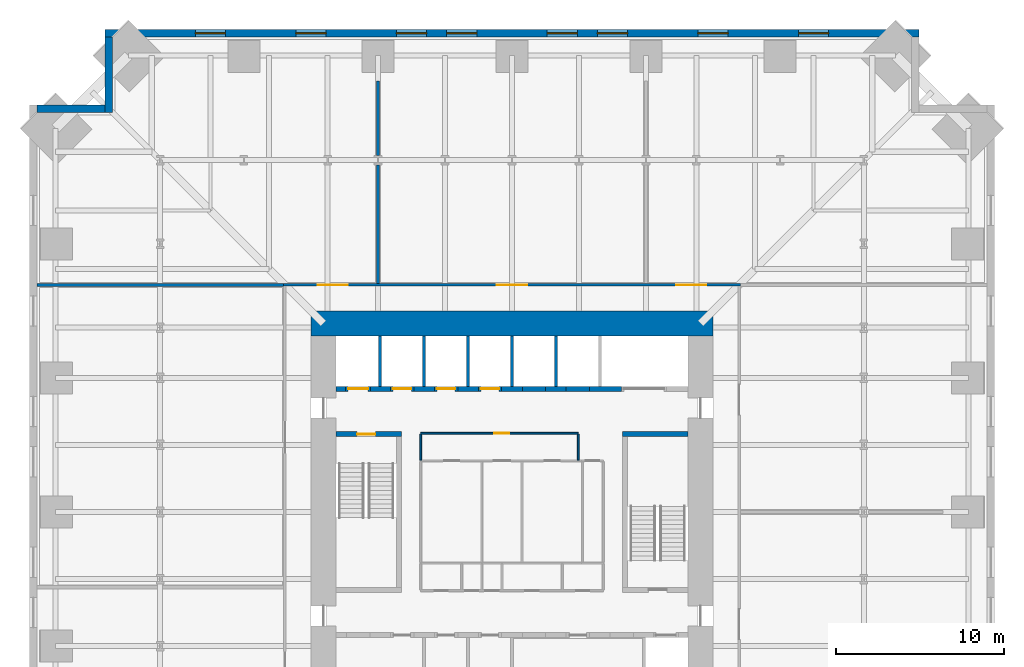
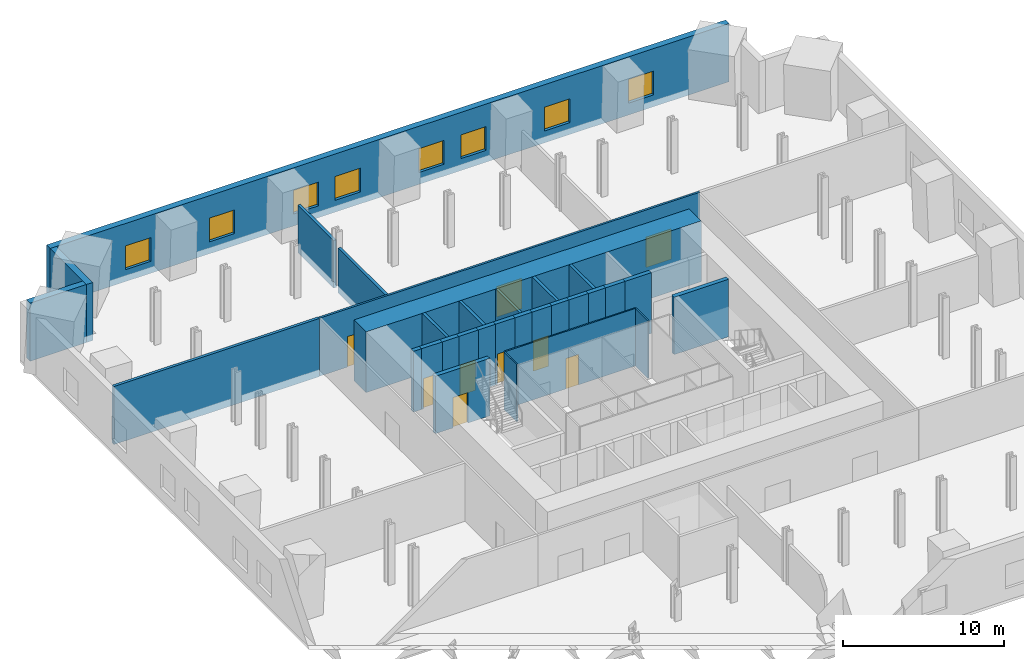
# One storey, part 6 of 8: 31 walls, 9 doors, 8 windows, 17 openings.
"""IFC4 building model written with IfcOpenShell, lengths in metres."""

from ifc_helpers import new_model, si_unit, direction, frame, frame_2d, origin, place, context, subcontext, project, spatial, rectangle, extrude, material, layer, layer_set, type_object, element, fill, save


model = new_model("IFC4")

# Units and contexts
model_context = context("Model", 3, precision=1e-05, world=origin(), true_north=direction((0.0, 1.0)))
body_context = subcontext(model_context, "Body", "Model", "MODEL_VIEW")
ifc_project = project(units=[si_unit("LENGTHUNIT", "METRE"), si_unit("AREAUNIT", "SQUARE_METRE"), si_unit("VOLUMEUNIT", "CUBIC_METRE"), si_unit("PLANEANGLEUNIT", "RADIAN"), si_unit("MASSUNIT", "GRAM", prefix="KILO")], contexts=[model_context])

# Site, building, storey
site_placement = place(None, origin())
site = spatial("IfcSite", under=ifc_project, at=site_placement, CompositionType="ELEMENT")
building_placement = place(site_placement, origin())
building = spatial("IfcBuilding", under=site, at=building_placement, Name="Peilmerk Tower", CompositionType="ELEMENT")
storey_placement = place(building_placement, frame((0.0, 0.0, 90.60009765625)))
storey = spatial("IfcBuildingStorey", under=building, at=storey_placement, Name="L17", CompositionType="ELEMENT", Elevation=90.60009765625)

# Wall, openings, windows
ifc_material_1 = material(Name="Precast concrete C45/55, board-marked finish", Category="concrete")
ifc_layer_1 = layer(ifc_material_1, 0.449951171875)
ifc_layer_set_1 = layer_set([ifc_layer_1], Name="Precast concrete C45/55, board-marked finish")
wall_type_1 = type_object("IfcWallType", Name="EW1 450 precast concrete facade wall, board-marked", PredefinedType="SOLIDWALL", material=ifc_layer_set_1)
wall_1_placement = place(storey_placement, frame((24.300048828125, 28.574951171875, 0.0), z_axis=(0.0, 0.0, 1.0), x_axis=(-1.0, 0.0, 0.0)))
wall_1 = element("IfcWall", 1, at=wall_1_placement, inside=storey, type_object=wall_type_1, Name="Facade wall N L17", PredefinedType="SOLIDWALL", context=body_context, shape_type="SweptSolid", body=[
    extrude(rectangle(XDim=48.60009765625, YDim=0.449951171875, at=frame_2d((24.300048828125, 0.0))), origin(), (0.0, 0.0, 1.0), 4.39990234375),
])
opening_1_placement = place(wall_1_placement, frame((5.39990234375, 0.0, 0.89990234375)))
opening_1 = element("IfcOpeningElement", 2, at=opening_1_placement, cuts=wall_1, Name="Opening W3", PredefinedType="OPENING", context=body_context, shape_type="SweptSolid", body=[
    extrude(rectangle(XDim=1.800048828125, YDim=1.800048828125, at=frame_2d((0.89990234375, 0.89990234375))), frame((0.0, 0.23486328125, 0.0), z_axis=(0.0, -1.0, 0.0), x_axis=(1.0, 0.0, 0.0)), (0.0, 0.0, 1.0), 0.469970703125),
])
opening_2_placement = place(wall_1_placement, frame((11.39990234375, 0.0, 0.89990234375)))
opening_2 = element("IfcOpeningElement", 3, at=opening_2_placement, cuts=wall_1, Name="Opening W3", PredefinedType="OPENING", context=body_context, shape_type="SweptSolid", body=[
    extrude(rectangle(XDim=1.800048828125, YDim=1.800048828125, at=frame_2d((0.89990234375, 0.89990234375))), frame((0.0, 0.23486328125, 0.0), z_axis=(0.0, -1.0, 0.0), x_axis=(1.0, 0.0, 0.0)), (0.0, 0.0, 1.0), 0.469970703125),
])
opening_3_placement = place(wall_1_placement, frame((17.39990234375, 0.0, 0.89990234375)))
opening_3 = element("IfcOpeningElement", 4, at=opening_3_placement, cuts=wall_1, Name="Opening W3", PredefinedType="OPENING", context=body_context, shape_type="SweptSolid", body=[
    extrude(rectangle(XDim=1.800048828125, YDim=1.800048828125, at=frame_2d((0.89990234375, 0.89990234375))), frame((0.0, 0.23486328125, 0.0), z_axis=(0.0, -1.0, 0.0), x_axis=(1.0, 0.0, 0.0)), (0.0, 0.0, 1.0), 0.469970703125),
])
opening_4_placement = place(wall_1_placement, frame((20.39990234375, 0.0, 0.89990234375)))
opening_4 = element("IfcOpeningElement", 5, at=opening_4_placement, cuts=wall_1, Name="Opening W3", PredefinedType="OPENING", context=body_context, shape_type="SweptSolid", body=[
    extrude(rectangle(XDim=1.800048828125, YDim=1.800048828125, at=frame_2d((0.89990234375, 0.89990234375))), frame((0.0, 0.23486328125, 0.0), z_axis=(0.0, -1.0, 0.0), x_axis=(1.0, 0.0, 0.0)), (0.0, 0.0, 1.0), 0.469970703125),
])
opening_5_placement = place(wall_1_placement, frame((26.39990234375, 0.0, 0.89990234375)))
opening_5 = element("IfcOpeningElement", 6, at=opening_5_placement, cuts=wall_1, Name="Opening W3", PredefinedType="OPENING", context=body_context, shape_type="SweptSolid", body=[
    extrude(rectangle(XDim=1.800048828125, YDim=1.800048828125, at=frame_2d((0.89990234375, 0.89990234375))), frame((0.0, 0.23486328125, 0.0), z_axis=(0.0, -1.0, 0.0), x_axis=(1.0, 0.0, 0.0)), (0.0, 0.0, 1.0), 0.469970703125),
])
opening_6_placement = place(wall_1_placement, frame((29.39990234375, 0.0, 0.89990234375)))
opening_6 = element("IfcOpeningElement", 7, at=opening_6_placement, cuts=wall_1, Name="Opening W3", PredefinedType="OPENING", context=body_context, shape_type="SweptSolid", body=[
    extrude(rectangle(XDim=1.800048828125, YDim=1.800048828125, at=frame_2d((0.89990234375, 0.89990234375))), frame((0.0, 0.23486328125, 0.0), z_axis=(0.0, -1.0, 0.0), x_axis=(1.0, 0.0, 0.0)), (0.0, 0.0, 1.0), 0.469970703125),
])
opening_7_placement = place(wall_1_placement, frame((35.39990234375, 0.0, 0.89990234375)))
opening_7 = element("IfcOpeningElement", 8, at=opening_7_placement, cuts=wall_1, Name="Opening W3", PredefinedType="OPENING", context=body_context, shape_type="SweptSolid", body=[
    extrude(rectangle(XDim=1.800048828125, YDim=1.800048828125, at=frame_2d((0.89990234375, 0.89990234375))), frame((0.0, 0.23486328125, 0.0), z_axis=(0.0, -1.0, 0.0), x_axis=(1.0, 0.0, 0.0)), (0.0, 0.0, 1.0), 0.469970703125),
])
opening_8_placement = place(wall_1_placement, frame((41.39990234375, 0.0, 0.89990234375)))
opening_8 = element("IfcOpeningElement", 9, at=opening_8_placement, cuts=wall_1, Name="Opening W3", PredefinedType="OPENING", context=body_context, shape_type="SweptSolid", body=[
    extrude(rectangle(XDim=1.800048828125, YDim=1.800048828125, at=frame_2d((0.89990234375, 0.89990234375))), frame((0.0, 0.23486328125, 0.0), z_axis=(0.0, -1.0, 0.0), x_axis=(1.0, 0.0, 0.0)), (0.0, 0.0, 1.0), 0.469970703125),
])
ifc_material_2 = material(Name="Aluminium frame, clear double glazing", Category="aluminium")
window_type = type_object("IfcWindowType", Name="W3 1800x1800 telecom floor window", PartitioningType="SINGLE_PANEL", PredefinedType="WINDOW", material=ifc_material_2)
window_1_placement = place(opening_1_placement, origin())
window_1 = element("IfcWindow", 10, at=window_1_placement, inside=storey, type_object=window_type, Name="Window W3 L17", OverallHeight=1.800048828125, OverallWidth=1.800048828125, PartitioningType="SINGLE_PANEL", PredefinedType="WINDOW", context=body_context, shape_type="SweptSolid", body=[
    extrude(rectangle(XDim=1.800048828125, YDim=1.800048828125, at=frame_2d((0.89990234375, 0.89990234375))), frame((0.0, 0.030029296875, 0.0), z_axis=(0.0, -1.0, 0.0), x_axis=(1.0, 0.0, 0.0)), (0.0, 0.0, 1.0), 0.06005859375),
])
fill(opening_1, window_1)
window_2_placement = place(opening_2_placement, origin())
window_2 = element("IfcWindow", 11, at=window_2_placement, inside=storey, type_object=window_type, Name="Window W3 L17", OverallHeight=1.800048828125, OverallWidth=1.800048828125, PartitioningType="SINGLE_PANEL", PredefinedType="WINDOW", context=body_context, shape_type="SweptSolid", body=[
    extrude(rectangle(XDim=1.800048828125, YDim=1.800048828125, at=frame_2d((0.89990234375, 0.89990234375))), frame((0.0, 0.030029296875, 0.0), z_axis=(0.0, -1.0, 0.0), x_axis=(1.0, 0.0, 0.0)), (0.0, 0.0, 1.0), 0.06005859375),
])
fill(opening_2, window_2)
window_3_placement = place(opening_3_placement, origin())
window_3 = element("IfcWindow", 12, at=window_3_placement, inside=storey, type_object=window_type, Name="Window W3 L17", OverallHeight=1.800048828125, OverallWidth=1.800048828125, PartitioningType="SINGLE_PANEL", PredefinedType="WINDOW", context=body_context, shape_type="SweptSolid", body=[
    extrude(rectangle(XDim=1.800048828125, YDim=1.800048828125, at=frame_2d((0.89990234375, 0.89990234375))), frame((0.0, 0.030029296875, 0.0), z_axis=(0.0, -1.0, 0.0), x_axis=(1.0, 0.0, 0.0)), (0.0, 0.0, 1.0), 0.06005859375),
])
fill(opening_3, window_3)
window_4_placement = place(opening_4_placement, origin())
window_4 = element("IfcWindow", 13, at=window_4_placement, inside=storey, type_object=window_type, Name="Window W3 L17", OverallHeight=1.800048828125, OverallWidth=1.800048828125, PartitioningType="SINGLE_PANEL", PredefinedType="WINDOW", context=body_context, shape_type="SweptSolid", body=[
    extrude(rectangle(XDim=1.800048828125, YDim=1.800048828125, at=frame_2d((0.89990234375, 0.89990234375))), frame((0.0, 0.030029296875, 0.0), z_axis=(0.0, -1.0, 0.0), x_axis=(1.0, 0.0, 0.0)), (0.0, 0.0, 1.0), 0.06005859375),
])
fill(opening_4, window_4)
window_5_placement = place(opening_5_placement, origin())
window_5 = element("IfcWindow", 14, at=window_5_placement, inside=storey, type_object=window_type, Name="Window W3 L17", OverallHeight=1.800048828125, OverallWidth=1.800048828125, PartitioningType="SINGLE_PANEL", PredefinedType="WINDOW", context=body_context, shape_type="SweptSolid", body=[
    extrude(rectangle(XDim=1.800048828125, YDim=1.800048828125, at=frame_2d((0.89990234375, 0.89990234375))), frame((0.0, 0.030029296875, 0.0), z_axis=(0.0, -1.0, 0.0), x_axis=(1.0, 0.0, 0.0)), (0.0, 0.0, 1.0), 0.06005859375),
])
fill(opening_5, window_5)
window_6_placement = place(opening_6_placement, origin())
window_6 = element("IfcWindow", 15, at=window_6_placement, inside=storey, type_object=window_type, Name="Window W3 L17", OverallHeight=1.800048828125, OverallWidth=1.800048828125, PartitioningType="SINGLE_PANEL", PredefinedType="WINDOW", context=body_context, shape_type="SweptSolid", body=[
    extrude(rectangle(XDim=1.800048828125, YDim=1.800048828125, at=frame_2d((0.89990234375, 0.89990234375))), frame((0.0, 0.030029296875, 0.0), z_axis=(0.0, -1.0, 0.0), x_axis=(1.0, 0.0, 0.0)), (0.0, 0.0, 1.0), 0.06005859375),
])
fill(opening_6, window_6)
window_7_placement = place(opening_7_placement, origin())
window_7 = element("IfcWindow", 16, at=window_7_placement, inside=storey, type_object=window_type, Name="Window W3 L17", OverallHeight=1.800048828125, OverallWidth=1.800048828125, PartitioningType="SINGLE_PANEL", PredefinedType="WINDOW", context=body_context, shape_type="SweptSolid", body=[
    extrude(rectangle(XDim=1.800048828125, YDim=1.800048828125, at=frame_2d((0.89990234375, 0.89990234375))), frame((0.0, 0.030029296875, 0.0), z_axis=(0.0, -1.0, 0.0), x_axis=(1.0, 0.0, 0.0)), (0.0, 0.0, 1.0), 0.06005859375),
])
fill(opening_7, window_7)
window_8_placement = place(opening_8_placement, origin())
window_8 = element("IfcWindow", 17, at=window_8_placement, inside=storey, type_object=window_type, Name="Window W3 L17", OverallHeight=1.800048828125, OverallWidth=1.800048828125, PartitioningType="SINGLE_PANEL", PredefinedType="WINDOW", context=body_context, shape_type="SweptSolid", body=[
    extrude(rectangle(XDim=1.800048828125, YDim=1.800048828125, at=frame_2d((0.89990234375, 0.89990234375))), frame((0.0, 0.030029296875, 0.0), z_axis=(0.0, -1.0, 0.0), x_axis=(1.0, 0.0, 0.0)), (0.0, 0.0, 1.0), 0.06005859375),
])
fill(opening_8, window_8)

# Walls
wall_2_placement = place(storey_placement, frame((-24.074951171875, 23.85009765625, 0.0), z_axis=(0.0, 0.0, 1.0), x_axis=(0.0, 1.0, 0.0)))
element("IfcWall", 18, at=wall_2_placement, inside=storey, type_object=wall_type_1, Name="Facade wall NWA L17", PredefinedType="SOLIDWALL", context=body_context, shape_type="SweptSolid", body=[
    extrude(rectangle(XDim=4.5, YDim=0.449951171875, at=frame_2d((2.25, 0.0))), origin(), (0.0, 0.0, 1.0), 4.39990234375),
])
wall_3_placement = place(storey_placement, frame((-24.300048828125, 24.074951171875, 0.0), z_axis=(0.0, 0.0, 1.0), x_axis=(-1.0, 0.0, 0.0)))
element("IfcWall", 19, at=wall_3_placement, inside=storey, type_object=wall_type_1, Name="Facade wall NWB L17", PredefinedType="SOLIDWALL", context=body_context, shape_type="SweptSolid", body=[
    extrude(rectangle(XDim=4.050048828125, YDim=0.449951171875, at=frame_2d((2.02490234375, 0.0))), origin(), (0.0, 0.0, 1.0), 4.39990234375),
])

# Wall, openings, doors
ifc_material_3 = material(Name="Calcium silicate block", Category="masonry")
ifc_layer_2 = layer(ifc_material_3, 0.14990234375)
ifc_layer_set_2 = layer_set([ifc_layer_2], Name="Calcium silicate block")
wall_type_2 = type_object("IfcWallType", Name="IW1 150 corridor partition, EI 60", PredefinedType="PARTITIONING", material=ifc_layer_set_2)
wall_4_placement = place(storey_placement, frame((-13.625, 13.550048828125, 0.0), z_axis=(0.0, 0.0, 1.0), x_axis=(1.0, 0.0, 0.0)))
wall_4 = element("IfcWall", 20, at=wall_4_placement, inside=storey, type_object=wall_type_2, Name="Corridor wall N L17", PredefinedType="PARTITIONING", context=body_context, shape_type="SweptSolid", body=[
    extrude(rectangle(XDim=27.25, YDim=0.14990234375, at=frame_2d((13.625, 0.0))), origin(), (0.0, 0.0, 1.0), 4.39990234375),
])
opening_9_placement = place(wall_4_placement, frame((2.02490234375, 0.0, 0.0)))
opening_9 = element("IfcOpeningElement", 21, at=opening_9_placement, cuts=wall_4, Name="Opening D2", PredefinedType="OPENING", context=body_context, shape_type="SweptSolid", body=[
    extrude(rectangle(XDim=1.800048828125, YDim=2.300048828125, at=frame_2d((0.89990234375, 1.14990234375))), frame((0.0, 0.0849609375, 0.0), z_axis=(0.0, -1.0, 0.0), x_axis=(1.0, 0.0, 0.0)), (0.0, 0.0, 1.0), 0.169921875),
])
opening_10_placement = place(wall_4_placement, frame((12.72509765625, 0.0, 0.0)))
opening_10 = element("IfcOpeningElement", 22, at=opening_10_placement, cuts=wall_4, Name="Opening D2", PredefinedType="OPENING", context=body_context, shape_type="SweptSolid", body=[
    extrude(rectangle(XDim=1.800048828125, YDim=2.300048828125, at=frame_2d((0.89990234375, 1.14990234375))), frame((0.0, 0.0849609375, 0.0), z_axis=(0.0, -1.0, 0.0), x_axis=(1.0, 0.0, 0.0)), (0.0, 0.0, 1.0), 0.169921875),
])
opening_11_placement = place(wall_4_placement, frame((23.425048828125, 0.0, 0.0)))
opening_11 = element("IfcOpeningElement", 23, at=opening_11_placement, cuts=wall_4, Name="Opening D2", PredefinedType="OPENING", context=body_context, shape_type="SweptSolid", body=[
    extrude(rectangle(XDim=1.800048828125, YDim=2.300048828125, at=frame_2d((0.89990234375, 1.14990234375))), frame((0.0, 0.0849609375, 0.0), z_axis=(0.0, -1.0, 0.0), x_axis=(1.0, 0.0, 0.0)), (0.0, 0.0, 1.0), 0.169921875),
])
ifc_material_4 = material(Name="Steel door in steel frame", Category="steel")
door_type_1 = type_object("IfcDoorType", Name="D2 1800x2300 double door, EI2 60", OperationType="DOUBLE_DOOR_DOUBLE_SWING", PredefinedType="DOOR", material=ifc_material_4)
door_1_placement = place(opening_9_placement, origin())
door_1 = element("IfcDoor", 24, at=door_1_placement, inside=storey, type_object=door_type_1, Name="Door Telecom equipment room A L17", OperationType="DOUBLE_DOOR_DOUBLE_SWING", OverallHeight=2.300048828125, OverallWidth=1.800048828125, PredefinedType="DOOR", context=body_context, shape_type="SweptSolid", body=[
    extrude(rectangle(XDim=1.800048828125, YDim=2.300048828125, at=frame_2d((0.89990234375, 1.14990234375))), frame((0.0, 0.02490234375, 0.0), z_axis=(0.0, -1.0, 0.0), x_axis=(1.0, 0.0, 0.0)), (0.0, 0.0, 1.0), 0.050048828125),
])
fill(opening_9, door_1)
door_2_placement = place(opening_10_placement, origin())
door_2 = element("IfcDoor", 25, at=door_2_placement, inside=storey, type_object=door_type_1, Name="Door Meet-me room L17", OperationType="DOUBLE_DOOR_DOUBLE_SWING", OverallHeight=2.300048828125, OverallWidth=1.800048828125, PredefinedType="DOOR", context=body_context, shape_type="SweptSolid", body=[
    extrude(rectangle(XDim=1.800048828125, YDim=2.300048828125, at=frame_2d((0.89990234375, 1.14990234375))), frame((0.0, 0.02490234375, 0.0), z_axis=(0.0, -1.0, 0.0), x_axis=(1.0, 0.0, 0.0)), (0.0, 0.0, 1.0), 0.050048828125),
])
fill(opening_10, door_2)
door_3_placement = place(opening_11_placement, origin())
door_3 = element("IfcDoor", 26, at=door_3_placement, inside=storey, type_object=door_type_1, Name="Door Telecom equipment room B L17", OperationType="DOUBLE_DOOR_DOUBLE_SWING", OverallHeight=2.300048828125, OverallWidth=1.800048828125, PredefinedType="DOOR", context=body_context, shape_type="SweptSolid", body=[
    extrude(rectangle(XDim=1.800048828125, YDim=2.300048828125, at=frame_2d((0.89990234375, 1.14990234375))), frame((0.0, 0.02490234375, 0.0), z_axis=(0.0, -1.0, 0.0), x_axis=(1.0, 0.0, 0.0)), (0.0, 0.0, 1.0), 0.050048828125),
])
fill(opening_11, door_3)

# Walls
ifc_layer_3 = layer(ifc_material_3, 0.199951171875)
ifc_layer_set_3 = layer_set([ifc_layer_3], Name="Calcium silicate block")
wall_type_3 = type_object("IfcWallType", Name="IW2 200 room separating wall, EI 120", PredefinedType="PARTITIONING", material=ifc_layer_set_3)
wall_5_placement = place(storey_placement, frame((-28.35009765625, 13.550048828125, 0.0), z_axis=(0.0, 0.0, 1.0), x_axis=(1.0, 0.0, 0.0)))
element("IfcWall", 27, at=wall_5_placement, inside=storey, type_object=wall_type_3, Name="Room separating wall NW L17", PredefinedType="PARTITIONING", context=body_context, shape_type="SweptSolid", body=[
    extrude(rectangle(XDim=14.72509765625, YDim=0.199951171875, at=frame_2d((7.362548828125, 0.0))), origin(), (0.0, 0.0, 1.0), 4.39990234375),
])
wall_6_placement = place(storey_placement, frame((-8.0, 13.625, 0.0), z_axis=(0.0, 0.0, 1.0), x_axis=(0.0, 1.0, 0.0)))
element("IfcWall", 28, at=wall_6_placement, inside=storey, type_object=wall_type_3, Name="Room separating wall N1 L17", PredefinedType="PARTITIONING", context=body_context, shape_type="SweptSolid", body=[
    extrude(rectangle(XDim=7.090576171875, YDim=0.199951171875, at=frame_2d((3.54541015625, 0.0))), origin(), (0.0, 0.0, 1.0), 3.391845703125),
])
wall_7_placement = place(storey_placement, frame((-8.0, 21.284423828125, 0.0), z_axis=(0.0, 0.0, 1.0), x_axis=(0.0, 1.0, 0.0)))
element("IfcWall", 29, at=wall_7_placement, inside=storey, type_object=wall_type_3, Name="Room separating wall N1b L17", PredefinedType="PARTITIONING", context=body_context, shape_type="SweptSolid", body=[
    extrude(rectangle(XDim=4.43017578125, YDim=0.199951171875, at=frame_2d((2.215087890625, 0.0))), origin(), (0.0, 0.0, 1.0), 3.60986328125),
])

# Wall, opening, door
ifc_material_5 = material(Name="Concrete C35/45", Category="concrete")
ifc_layer_4 = layer(ifc_material_5, 0.300048828125)
ifc_layer_set_4 = layer_set([ifc_layer_4], Name="Concrete C35/45")
wall_type_4 = type_object("IfcWallType", Name="IW3 300 concrete stair enclosure wall, EI 120", PredefinedType="SOLIDWALL", material=ifc_layer_set_4)
wall_8_placement = place(storey_placement, frame((-10.5, 4.64990234375, 0.0), z_axis=(0.0, 0.0, 1.0), x_axis=(1.0, 0.0, 0.0)))
wall_8 = element("IfcWall", 30, at=wall_8_placement, inside=storey, type_object=wall_type_4, Name="Stair 1 enclosure L17", PredefinedType="SOLIDWALL", context=body_context, shape_type="SweptSolid", body=[
    extrude(rectangle(XDim=3.89990234375, YDim=0.300048828125, at=frame_2d((1.949951171875, 0.0))), origin(), (0.0, 0.0, 1.0), 4.349853515625),
])
opening_12_placement = place(wall_8_placement, frame((1.25, 0.0, 0.0)))
opening_12 = element("IfcOpeningElement", 31, at=opening_12_placement, cuts=wall_8, Name="Opening D4", PredefinedType="OPENING", context=body_context, shape_type="SweptSolid", body=[
    extrude(rectangle(XDim=1.10009765625, YDim=2.300048828125, at=frame_2d((0.550048828125, 1.14990234375))), frame((0.0, 0.159912109375, 0.0), z_axis=(0.0, -1.0, 0.0), x_axis=(1.0, 0.0, 0.0)), (0.0, 0.0, 1.0), 0.320068359375),
])
door_type_2 = type_object("IfcDoorType", Name="D4 1100x2300 stair door, EI2 60", OperationType="SINGLE_SWING_RIGHT", PredefinedType="DOOR", material=ifc_material_4)
door_4_placement = place(opening_12_placement, frame((1.10009765625, 0.0, 0.0), z_axis=(0.0, 0.0, 1.0), x_axis=(-1.0, 0.0, 0.0)))
door_4 = element("IfcDoor", 32, at=door_4_placement, inside=storey, type_object=door_type_2, Name="Stair 1 door L17", OperationType="SINGLE_SWING_RIGHT", OverallHeight=2.300048828125, OverallWidth=1.10009765625, PredefinedType="DOOR", context=body_context, shape_type="SweptSolid", body=[
    extrude(rectangle(XDim=1.10009765625, YDim=2.300048828125, at=frame_2d((0.550048828125, 1.14990234375))), frame((0.0, 0.02490234375, 0.0), z_axis=(0.0, -1.0, 0.0), x_axis=(1.0, 0.0, 0.0)), (0.0, 0.0, 1.0), 0.050048828125),
])
fill(opening_12, door_4)

# Wall
wall_9_placement = place(storey_placement, frame((6.60009765625, 4.64990234375, 0.0), z_axis=(0.0, 0.0, 1.0), x_axis=(1.0, 0.0, 0.0)))
element("IfcWall", 33, at=wall_9_placement, inside=storey, type_object=wall_type_4, Name="Stair 2 enclosure L17", PredefinedType="SOLIDWALL", context=body_context, shape_type="SweptSolid", body=[
    extrude(rectangle(XDim=3.89990234375, YDim=0.300048828125, at=frame_2d((1.949951171875, 0.0))), origin(), (0.0, 0.0, 1.0), 4.349853515625),
])

# Wall, opening, door
ifc_material_6 = material(Name="Fire-resisting plasterboard on steel studs", Category="steel")
ifc_layer_5 = layer(ifc_material_6, 0.10009765625)
ifc_layer_set_5 = layer_set([ifc_layer_5], Name="Fire-resisting plasterboard on steel studs")
wall_type_5 = type_object("IfcWallType", Name="IW9 100 WC lobby wall, EI 30", PredefinedType="PARTITIONING", material=ifc_layer_set_5)
wall_10_placement = place(storey_placement, frame((-5.449951171875, 4.699951171875, 0.0), z_axis=(0.0, 0.0, 1.0), x_axis=(1.0, 0.0, 0.0)))
wall_10 = element("IfcWall", 34, at=wall_10_placement, inside=storey, type_object=wall_type_5, Name="WC lobby wall L17", PredefinedType="PARTITIONING", context=body_context, shape_type="SweptSolid", body=[
    extrude(rectangle(XDim=9.39990234375, YDim=0.10009765625, at=frame_2d((4.699951171875, 0.0))), origin(), (0.0, 0.0, 1.0), 4.349853515625),
])
opening_13_placement = place(wall_10_placement, frame((4.39990234375, 0.0, 0.0)))
opening_13 = element("IfcOpeningElement", 35, at=opening_13_placement, cuts=wall_10, Name="Opening D11", PredefinedType="OPENING", context=body_context, shape_type="SweptSolid", body=[
    extrude(rectangle(XDim=0.89990234375, YDim=2.300048828125, at=frame_2d((0.449951171875, 1.14990234375))), frame((0.0, 0.06005859375, 0.0), z_axis=(0.0, -1.0, 0.0), x_axis=(1.0, 0.0, 0.0)), (0.0, 0.0, 1.0), 0.1201171875),
])
ifc_material_7 = material(Name="Timber door in steel frame", Category="steel")
door_type_3 = type_object("IfcDoorType", Name="D11 900x2300 WC lobby door, EI2 30", OperationType="SINGLE_SWING_LEFT", PredefinedType="DOOR", material=ifc_material_7)
door_5_placement = place(opening_13_placement, frame((0.89990234375, 0.0, 0.0), z_axis=(0.0, 0.0, 1.0), x_axis=(-1.0, 0.0, 0.0)))
door_5 = element("IfcDoor", 36, at=door_5_placement, inside=storey, type_object=door_type_3, Name="WC lobby door L17", OperationType="SINGLE_SWING_LEFT", OverallHeight=2.300048828125, OverallWidth=0.89990234375, PredefinedType="DOOR", context=body_context, shape_type="SweptSolid", body=[
    extrude(rectangle(XDim=0.89990234375, YDim=2.300048828125, at=frame_2d((0.449951171875, 1.14990234375))), frame((0.0, 0.02490234375, 0.0), z_axis=(0.0, -1.0, 0.0), x_axis=(1.0, 0.0, 0.0)), (0.0, 0.0, 1.0), 0.050048828125),
])
fill(opening_13, door_5)

# Walls
for number, where, z_axis, x_axis, name in (
    (37, (-5.449951171875, 3.10009765625, 0.0), (0.0, 0.0, 1.0), (0.0, 1.0, 0.0), "WC lobby wall L17"),
    (38, (3.949951171875, 3.10009765625, 0.0), (0.0, 0.0, 1.0), (0.0, 1.0, 0.0), "WC lobby wall L17"),
):
    element("IfcWall", number, at=place(storey_placement, frame(where, z_axis=z_axis, x_axis=x_axis)), inside=storey, type_object=wall_type_5, Name=name, PredefinedType="PARTITIONING", context=body_context, shape_type="SweptSolid", body=[
        extrude(rectangle(XDim=1.5498046875, YDim=0.10009765625, at=frame_2d((0.77490234375, 0.0))), origin(), (0.0, 0.0, 1.0), 4.349853515625),
    ])
ifc_layer_6 = layer(ifc_material_3, 0.199951171875)
ifc_layer_set_6 = layer_set([ifc_layer_6], Name="Calcium silicate block")
wall_type_6 = type_object("IfcWallType", Name="SH1 200 shaft dividing wall, EI 120", PredefinedType="PARTITIONING", material=ifc_layer_set_6)
for number, where, z_axis, x_axis, name in (
    (39, (-7.875, 7.5, 0.0), (0.0, 0.0, 1.0), (0.0, 1.0, 0.0), "Shaft wall N FL1 L17"),
    (40, (-5.25, 7.5, 0.0), (0.0, 0.0, 1.0), (0.0, 1.0, 0.0), "Shaft wall N A1 L17"),
    (41, (-2.625, 7.5, 0.0), (0.0, 0.0, 1.0), (0.0, 1.0, 0.0), "Shaft wall N A2 L17"),
    (42, (0.0, 7.5, 0.0), (0.0, 0.0, 1.0), (0.0, 1.0, 0.0), "Shaft wall N A3 L17"),
    (43, (2.625, 7.5, 0.0), (0.0, 0.0, 1.0), (0.0, 1.0, 0.0), "Shaft wall N S1 L17"),
):
    element("IfcWall", number, at=place(storey_placement, frame(where, z_axis=z_axis, x_axis=x_axis)), inside=storey, type_object=wall_type_6, Name=name, PredefinedType="PARTITIONING", context=body_context, shape_type="SweptSolid", body=[
        extrude(rectangle(XDim=3.0, YDim=0.199951171875, at=frame_2d((1.5, 0.0))), origin(), (0.0, 0.0, 1.0), 4.599853515625),
    ])

# Wall, opening, door
ifc_layer_7 = layer(ifc_material_3, 0.300048828125)
ifc_layer_set_7 = layer_set([ifc_layer_7], Name="Calcium silicate block")
wall_type_7 = type_object("IfcWallType", Name="SH2 300 lift landing door panel, EI 120", PredefinedType="PARTITIONING", material=ifc_layer_set_7)
wall_11_placement = place(storey_placement, frame((-9.9375, 7.35009765625, 0.0), z_axis=(0.0, 0.0, 1.0), x_axis=(1.0, 0.0, 0.0)))
wall_11 = element("IfcWall", 44, at=wall_11_placement, inside=storey, type_object=wall_type_7, Name="Lift door panel N FL1 L17", PredefinedType="PARTITIONING", context=body_context, shape_type="SweptSolid", body=[
    extrude(rectangle(XDim=1.5, YDim=0.300048828125, at=frame_2d((0.75, 0.0))), origin(), (0.0, 0.0, 1.0), 4.599853515625),
])
opening_14_placement = place(wall_11_placement, frame((0.14990234375, 0.0, 0.0)))
opening_14 = element("IfcOpeningElement", 45, at=opening_14_placement, cuts=wall_11, Name="Opening LD2", PredefinedType="OPENING", context=body_context, shape_type="SweptSolid", body=[
    extrude(rectangle(XDim=1.199951171875, YDim=2.300048828125, at=frame_2d((0.60009765625, 1.14990234375))), frame((0.0, 0.159912109375, 0.0), z_axis=(0.0, -1.0, 0.0), x_axis=(1.0, 0.0, 0.0)), (0.0, 0.0, 1.0), 0.320068359375),
])
ifc_material_8 = material(Name="Stainless steel landing door", Category="steel")
door_type_4 = type_object("IfcDoorType", Name="LD2 1200x2300 lift landing door, sliding, EI2 60", OperationType="SLIDING_TO_LEFT", PredefinedType="DOOR", material=ifc_material_8)
door_6_placement = place(opening_14_placement, frame((1.199951171875, 0.0, 0.0), z_axis=(0.0, 0.0, 1.0), x_axis=(-1.0, 0.0, 0.0)))
door_6 = element("IfcDoor", 46, at=door_6_placement, inside=storey, type_object=door_type_4, Name="Lift landing door FL1 L17", OperationType="SLIDING_TO_LEFT", OverallHeight=2.300048828125, OverallWidth=1.199951171875, PredefinedType="DOOR", context=body_context, shape_type="SweptSolid", body=[
    extrude(rectangle(XDim=1.199951171875, YDim=2.300048828125, at=frame_2d((0.60009765625, 1.14990234375))), frame((0.0, 0.02490234375, 0.0), z_axis=(0.0, -1.0, 0.0), x_axis=(1.0, 0.0, 0.0)), (0.0, 0.0, 1.0), 0.050048828125),
])
fill(opening_14, door_6)

wall_12_placement = place(storey_placement, frame((-7.262451171875, 7.35009765625, 0.0), z_axis=(0.0, 0.0, 1.0), x_axis=(1.0, 0.0, 0.0)))
wall_12 = element("IfcWall", 47, at=wall_12_placement, inside=storey, type_object=wall_type_7, Name="Lift door panel N A1 L17", PredefinedType="PARTITIONING", context=body_context, shape_type="SweptSolid", body=[
    extrude(rectangle(XDim=1.39990234375, YDim=0.300048828125, at=frame_2d((0.699951171875, 0.0))), origin(), (0.0, 0.0, 1.0), 4.599853515625),
])
opening_15_placement = place(wall_12_placement, frame((0.14990234375, 0.0, 0.0)))
opening_15 = element("IfcOpeningElement", 48, at=opening_15_placement, cuts=wall_12, Name="Opening LD1", PredefinedType="OPENING", context=body_context, shape_type="SweptSolid", body=[
    extrude(rectangle(XDim=1.10009765625, YDim=2.300048828125, at=frame_2d((0.550048828125, 1.14990234375))), frame((0.0, 0.159912109375, 0.0), z_axis=(0.0, -1.0, 0.0), x_axis=(1.0, 0.0, 0.0)), (0.0, 0.0, 1.0), 0.320068359375),
])
door_type_5 = type_object("IfcDoorType", Name="LD1 1100x2300 lift landing door, sliding, EI2 60", OperationType="SLIDING_TO_LEFT", PredefinedType="DOOR", material=ifc_material_8)
door_7_placement = place(opening_15_placement, frame((1.10009765625, 0.0, 0.0), z_axis=(0.0, 0.0, 1.0), x_axis=(-1.0, 0.0, 0.0)))
door_7 = element("IfcDoor", 49, at=door_7_placement, inside=storey, type_object=door_type_5, Name="Lift landing door A1 L17", OperationType="SLIDING_TO_LEFT", OverallHeight=2.300048828125, OverallWidth=1.10009765625, PredefinedType="DOOR", context=body_context, shape_type="SweptSolid", body=[
    extrude(rectangle(XDim=1.10009765625, YDim=2.300048828125, at=frame_2d((0.550048828125, 1.14990234375))), frame((0.0, 0.02490234375, 0.0), z_axis=(0.0, -1.0, 0.0), x_axis=(1.0, 0.0, 0.0)), (0.0, 0.0, 1.0), 0.050048828125),
])
fill(opening_15, door_7)

wall_13_placement = place(storey_placement, frame((-4.637451171875, 7.35009765625, 0.0), z_axis=(0.0, 0.0, 1.0), x_axis=(1.0, 0.0, 0.0)))
wall_13 = element("IfcWall", 50, at=wall_13_placement, inside=storey, type_object=wall_type_7, Name="Lift door panel N A2 L17", PredefinedType="PARTITIONING", context=body_context, shape_type="SweptSolid", body=[
    extrude(rectangle(XDim=1.39990234375, YDim=0.300048828125, at=frame_2d((0.699951171875, 0.0))), origin(), (0.0, 0.0, 1.0), 4.599853515625),
])
opening_16_placement = place(wall_13_placement, frame((0.14990234375, 0.0, 0.0)))
opening_16 = element("IfcOpeningElement", 51, at=opening_16_placement, cuts=wall_13, Name="Opening LD1", PredefinedType="OPENING", context=body_context, shape_type="SweptSolid", body=[
    extrude(rectangle(XDim=1.10009765625, YDim=2.300048828125, at=frame_2d((0.550048828125, 1.14990234375))), frame((0.0, 0.159912109375, 0.0), z_axis=(0.0, -1.0, 0.0), x_axis=(1.0, 0.0, 0.0)), (0.0, 0.0, 1.0), 0.320068359375),
])
door_8_placement = place(opening_16_placement, frame((1.10009765625, 0.0, 0.0), z_axis=(0.0, 0.0, 1.0), x_axis=(-1.0, 0.0, 0.0)))
door_8 = element("IfcDoor", 52, at=door_8_placement, inside=storey, type_object=door_type_5, Name="Lift landing door A2 L17", OperationType="SLIDING_TO_LEFT", OverallHeight=2.300048828125, OverallWidth=1.10009765625, PredefinedType="DOOR", context=body_context, shape_type="SweptSolid", body=[
    extrude(rectangle(XDim=1.10009765625, YDim=2.300048828125, at=frame_2d((0.550048828125, 1.14990234375))), frame((0.0, 0.02490234375, 0.0), z_axis=(0.0, -1.0, 0.0), x_axis=(1.0, 0.0, 0.0)), (0.0, 0.0, 1.0), 0.050048828125),
])
fill(opening_16, door_8)

wall_14_placement = place(storey_placement, frame((-2.012451171875, 7.35009765625, 0.0), z_axis=(0.0, 0.0, 1.0), x_axis=(1.0, 0.0, 0.0)))
wall_14 = element("IfcWall", 53, at=wall_14_placement, inside=storey, type_object=wall_type_7, Name="Lift door panel N A3 L17", PredefinedType="PARTITIONING", context=body_context, shape_type="SweptSolid", body=[
    extrude(rectangle(XDim=1.39990234375, YDim=0.300048828125, at=frame_2d((0.699951171875, 0.0))), origin(), (0.0, 0.0, 1.0), 4.599853515625),
])
opening_17_placement = place(wall_14_placement, frame((0.14990234375, 0.0, 0.0)))
opening_17 = element("IfcOpeningElement", 54, at=opening_17_placement, cuts=wall_14, Name="Opening LD1", PredefinedType="OPENING", context=body_context, shape_type="SweptSolid", body=[
    extrude(rectangle(XDim=1.10009765625, YDim=2.300048828125, at=frame_2d((0.550048828125, 1.14990234375))), frame((0.0, 0.159912109375, 0.0), z_axis=(0.0, -1.0, 0.0), x_axis=(1.0, 0.0, 0.0)), (0.0, 0.0, 1.0), 0.320068359375),
])
door_9_placement = place(opening_17_placement, frame((1.10009765625, 0.0, 0.0), z_axis=(0.0, 0.0, 1.0), x_axis=(-1.0, 0.0, 0.0)))
door_9 = element("IfcDoor", 55, at=door_9_placement, inside=storey, type_object=door_type_5, Name="Lift landing door A3 L17", OperationType="SLIDING_TO_LEFT", OverallHeight=2.300048828125, OverallWidth=1.10009765625, PredefinedType="DOOR", context=body_context, shape_type="SweptSolid", body=[
    extrude(rectangle(XDim=1.10009765625, YDim=2.300048828125, at=frame_2d((0.550048828125, 1.14990234375))), frame((0.0, 0.02490234375, 0.0), z_axis=(0.0, -1.0, 0.0), x_axis=(1.0, 0.0, 0.0)), (0.0, 0.0, 1.0), 0.050048828125),
])
fill(opening_17, door_9)

# Walls
for number, where, z_axis, x_axis, name in (
    (56, (0.612548828125, 7.35009765625, 0.0), (0.0, 0.0, 1.0), (1.0, 0.0, 0.0), "Lift door panel N S1 L17"),
    (57, (3.237548828125, 7.35009765625, 0.0), (0.0, 0.0, 1.0), (1.0, 0.0, 0.0), "Lift door panel N S2 L17"),
):
    element("IfcWall", number, at=place(storey_placement, frame(where, z_axis=z_axis, x_axis=x_axis)), inside=storey, type_object=wall_type_7, Name=name, PredefinedType="PARTITIONING", context=body_context, shape_type="SweptSolid", body=[
        extrude(rectangle(XDim=1.39990234375, YDim=0.300048828125, at=frame_2d((0.699951171875, 0.0))), origin(), (0.0, 0.0, 1.0), 4.599853515625),
    ])
ifc_material_9 = material(Name="Concrete C55/67", Category="concrete")
ifc_layer_8 = layer(ifc_material_9, 1.5)
ifc_layer_set_8 = layer_set([ifc_layer_8], Name="Concrete C55/67")
wall_type_8 = type_object("IfcWallType", Name="SW1 1500 core wall", PredefinedType="SHEAR", material=ifc_layer_set_8)
wall_15_placement = place(storey_placement, frame((-12.0, 11.25, 0.0), z_axis=(0.0, 0.0, 1.0), x_axis=(1.0, 0.0, 0.0)))
element("IfcWall", 58, at=wall_15_placement, inside=storey, type_object=wall_type_8, Name="Core wall N L17", PredefinedType="SHEAR", context=body_context, shape_type="SweptSolid", body=[
    extrude(rectangle(XDim=24.0, YDim=1.5, at=frame_2d((12.0, 0.0))), origin(), (0.0, 0.0, 1.0), 4.599853515625),
])
ifc_layer_9 = layer(ifc_material_9, 0.300048828125)
ifc_layer_set_9 = layer_set([ifc_layer_9], Name="Concrete C55/67")
wall_type_9 = type_object("IfcWallType", Name="SW2 300 lift bank pier", PredefinedType="SHEAR", material=ifc_layer_set_9)
wall_16_placement = place(storey_placement, frame((-10.5, 7.35009765625, 0.0), z_axis=(0.0, 0.0, 1.0), x_axis=(1.0, 0.0, 0.0)))
element("IfcWall", 59, at=wall_16_placement, inside=storey, type_object=wall_type_9, Name="Lift bank pier N L17", PredefinedType="SHEAR", context=body_context, shape_type="SweptSolid", body=[
    extrude(rectangle(XDim=0.5625, YDim=0.300048828125, at=frame_2d((0.28125, 0.0))), origin(), (0.0, 0.0, 1.0), 4.599853515625),
])
wall_17_placement = place(storey_placement, frame((-8.4375, 7.35009765625, 0.0), z_axis=(0.0, 0.0, 1.0), x_axis=(1.0, 0.0, 0.0)))
element("IfcWall", 60, at=wall_17_placement, inside=storey, type_object=wall_type_9, Name="Lift bank pier N L17", PredefinedType="SHEAR", context=body_context, shape_type="SweptSolid", body=[
    extrude(rectangle(XDim=1.175048828125, YDim=0.300048828125, at=frame_2d((0.58740234375, 0.0))), origin(), (0.0, 0.0, 1.0), 4.599853515625),
])
for number, where, z_axis, x_axis, name in (
    (61, (-5.862548828125, 7.35009765625, 0.0), (0.0, 0.0, 1.0), (1.0, 0.0, 0.0), "Lift bank pier N L17"),
    (62, (-3.237548828125, 7.35009765625, 0.0), (0.0, 0.0, 1.0), (1.0, 0.0, 0.0), "Lift bank pier N L17"),
    (63, (-0.612548828125, 7.35009765625, 0.0), (0.0, 0.0, 1.0), (1.0, 0.0, 0.0), "Lift bank pier N L17"),
    (64, (2.012451171875, 7.35009765625, 0.0), (0.0, 0.0, 1.0), (1.0, 0.0, 0.0), "Lift bank pier N L17"),
):
    element("IfcWall", number, at=place(storey_placement, frame(where, z_axis=z_axis, x_axis=x_axis)), inside=storey, type_object=wall_type_9, Name=name, PredefinedType="SHEAR", context=body_context, shape_type="SweptSolid", body=[
        extrude(rectangle(XDim=1.22509765625, YDim=0.300048828125, at=frame_2d((0.612548828125, 0.0))), origin(), (0.0, 0.0, 1.0), 4.599853515625),
    ])
wall_18_placement = place(storey_placement, frame((4.637451171875, 7.35009765625, 0.0), z_axis=(0.0, 0.0, 1.0), x_axis=(1.0, 0.0, 0.0)))
element("IfcWall", 65, at=wall_18_placement, inside=storey, type_object=wall_type_9, Name="Lift bank pier N L17", PredefinedType="SHEAR", context=body_context, shape_type="SweptSolid", body=[
    extrude(rectangle(XDim=1.887451171875, YDim=0.300048828125, at=frame_2d((0.94384765625, 0.0))), origin(), (0.0, 0.0, 1.0), 4.599853515625),
])

save(model, "model.ifc")
